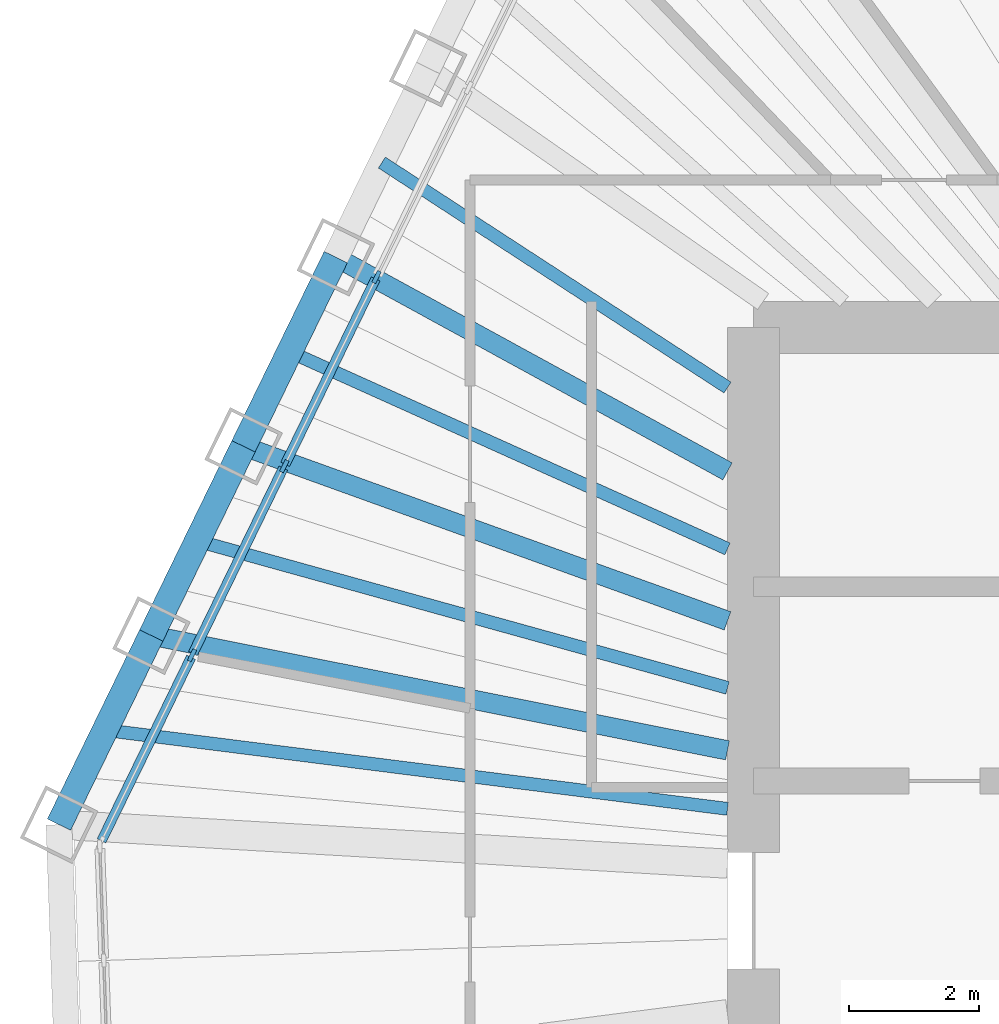
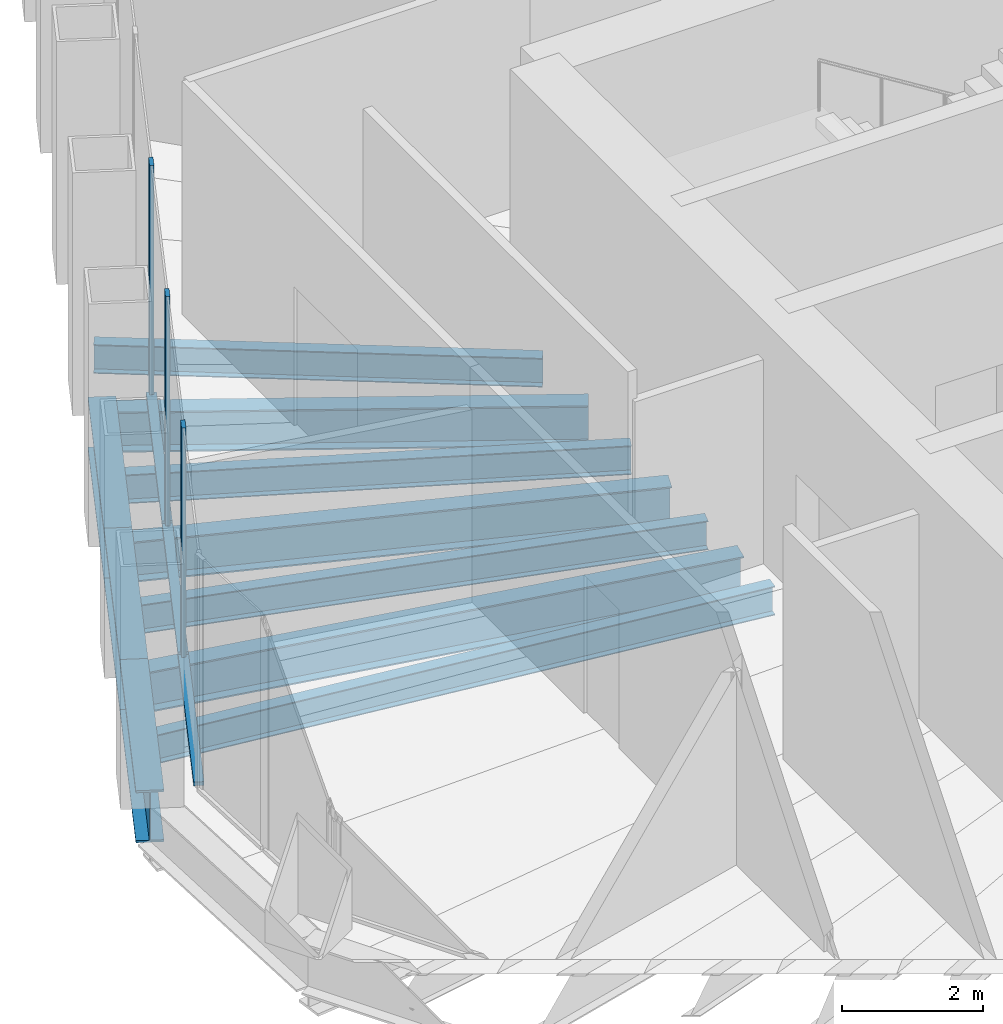
# One storey, part 4 of 14: 10 beams, 6 members, 1 element without a shape of its own.
"""IFC4 building model written with IfcOpenShell, lengths in metres."""

from ifc_helpers import new_model, si_unit, direction, frame, origin, origin_2d, place, context, subcontext, project, spatial, rectangle, i_section, extrude, material, material_profile, profile_set, type_object, element, aggregate, save


model = new_model("IFC4")

# Units and contexts
model_context = context("Model", 3, precision=1e-05, world=origin(), true_north=direction((0.0, 1.0)))
body_context = subcontext(model_context, "Body", "Model", "MODEL_VIEW")
ifc_project = project(units=[si_unit("LENGTHUNIT", "METRE"), si_unit("AREAUNIT", "SQUARE_METRE"), si_unit("VOLUMEUNIT", "CUBIC_METRE"), si_unit("PLANEANGLEUNIT", "RADIAN"), si_unit("MASSUNIT", "GRAM", prefix="KILO")], contexts=[model_context])

# Site, building, storey
site_placement = place(None, origin())
site = spatial("IfcSite", under=ifc_project, at=site_placement, CompositionType="ELEMENT")
building_placement = place(site_placement, origin())
building = spatial("IfcBuilding", under=site, at=building_placement, Name="Qingtian Harvest Tower", CompositionType="ELEMENT")
storey_placement = place(building_placement, frame((0.0, 0.0, 320.800048828125)))
storey = spatial("IfcBuildingStorey", under=building, at=storey_placement, Name="L71", CompositionType="ELEMENT", Elevation=320.800048828125)

# Beams
ifc_material_1 = material(Name="Steel SN490B", Category="steel")
ifc_material_profile_1 = material_profile(ifc_material_1, i_section(OverallWidth=0.300048828125, OverallDepth=0.699951171875, WebThickness=0.012939453125, FlangeThickness=0.02392578125, at=origin_2d()), Name="H700x300x13x24")
ifc_profile_set_1 = profile_set([ifc_material_profile_1], Name="Steel SN490B")
beam_type_1 = type_object("IfcBeamType", Name="Floor beam FB4 H700x300x13x24", PredefinedType="BEAM", material=ifc_profile_set_1)
beam_1_placement = place(storey_placement, frame((-21.29345703125, 4.246337890625, -0.52001953125), z_axis=(0.980692343585, -0.195556966723, 0.0), x_axis=(0.195556966723, 0.980692343585, 0.0)))
element("IfcBeam", 1, at=beam_1_placement, inside=storey, type_object=beam_type_1, Name="Floor beam FB4 NW1", PredefinedType="BEAM", context=body_context, shape_type="SweptSolid", body=[
    extrude(i_section(OverallWidth=0.300048828125, OverallDepth=0.699951171875, WebThickness=0.012939453125, FlangeThickness=0.02392578125, at=origin_2d()), origin(), (0.0, 0.0, 1.0), 9.068603515625),
])
beam_2_placement = place(storey_placement, frame((-19.86962890625, 7.165771484375, -0.52001953125), z_axis=(0.940696778834, -0.339248537641, 0.0), x_axis=(0.339248537641, 0.940696778834, 0.0)))
element("IfcBeam", 2, at=beam_2_placement, inside=storey, type_object=beam_type_1, Name="Floor beam FB4 NW2", PredefinedType="BEAM", context=body_context, shape_type="SweptSolid", body=[
    extrude(i_section(OverallWidth=0.300048828125, OverallDepth=0.699951171875, WebThickness=0.012939453125, FlangeThickness=0.02392578125, at=origin_2d()), origin(), (0.0, 0.0, 1.0), 7.940673828125),
])
beam_3_placement = place(storey_placement, frame((-18.44580078125, 10.0849609375, -0.52001953125), z_axis=(0.877427999734, -0.479708354402, 0.0), x_axis=(0.479708354402, 0.877427999734, 0.0)))
element("IfcBeam", 3, at=beam_3_placement, inside=storey, type_object=beam_type_1, Name="Floor beam FB4 NW3", PredefinedType="BEAM", context=body_context, shape_type="SweptSolid", body=[
    extrude(i_section(OverallWidth=0.300048828125, OverallDepth=0.699951171875, WebThickness=0.012939453125, FlangeThickness=0.02392578125, at=origin_2d()), origin(), (0.0, 0.0, 1.0), 6.890380859375),
])
ifc_material_2 = material(Name="Steel SN490B", Category="steel")
ifc_material_profile_2 = material_profile(ifc_material_2, i_section(OverallWidth=0.199951171875, OverallDepth=0.5, WebThickness=0.010009765625, FlangeThickness=0.01611328125, at=origin_2d()), Name="H500x200x10x16")
ifc_profile_set_2 = profile_set([ifc_material_profile_2], Name="Steel SN490B")
beam_type_2 = type_object("IfcBeamType", Name="Floor joist J3 H500x200x10x16", PredefinedType="JOIST", material=ifc_profile_set_2)
beam_4_placement = place(storey_placement, frame((-22.00537109375, 2.78662109375, -0.420166015625), z_axis=(0.992077984062, -0.125623538954, 0.0), x_axis=(0.125623538954, 0.992077984062, 0.0)))
element("IfcBeam", 4, at=beam_4_placement, inside=storey, type_object=beam_type_2, Name="Floor joist J3 NW0", PredefinedType="JOIST", context=body_context, shape_type="SweptSolid", body=[
    extrude(i_section(OverallWidth=0.199951171875, OverallDepth=0.5, WebThickness=0.010009765625, FlangeThickness=0.01611328125, at=origin_2d()), origin(), (0.0, 0.0, 1.0), 9.68212890625),
])
beam_5_placement = place(storey_placement, frame((-20.58154296875, 5.7060546875, -0.420166015625), z_axis=(0.963650445063, -0.267166277306, 0.0), x_axis=(0.267166277306, 0.963650445063, 0.0)))
element("IfcBeam", 5, at=beam_5_placement, inside=storey, type_object=beam_type_2, Name="Floor joist J3 NW1", PredefinedType="JOIST", context=body_context, shape_type="SweptSolid", body=[
    extrude(i_section(OverallWidth=0.199951171875, OverallDepth=0.5, WebThickness=0.010009765625, FlangeThickness=0.01611328125, at=origin_2d()), origin(), (0.0, 0.0, 1.0), 8.490234375),
])
beam_6_placement = place(storey_placement, frame((-19.15771484375, 8.625244140625, -0.420166015625), z_axis=(0.911847523905, -0.410529040567, 0.0), x_axis=(0.410529040567, 0.911847523905, 0.0)))
element("IfcBeam", 6, at=beam_6_placement, inside=storey, type_object=beam_type_2, Name="Floor joist J3 NW2", PredefinedType="JOIST", context=body_context, shape_type="SweptSolid", body=[
    extrude(i_section(OverallWidth=0.199951171875, OverallDepth=0.5, WebThickness=0.010009765625, FlangeThickness=0.01611328125, at=origin_2d()), origin(), (0.0, 0.0, 1.0), 7.4111328125),
])
beam_7_placement = place(storey_placement, frame((-17.73388671875, 11.544677734375, -0.420166015625), z_axis=(0.83806130614, -0.545576069079, 0.0), x_axis=(0.545576069079, 0.83806130614, 0.0)))
element("IfcBeam", 7, at=beam_7_placement, inside=storey, type_object=beam_type_2, Name="Floor joist J3 NW3", PredefinedType="JOIST", context=body_context, shape_type="SweptSolid", body=[
    extrude(i_section(OverallWidth=0.199951171875, OverallDepth=0.5, WebThickness=0.010009765625, FlangeThickness=0.01611328125, at=origin_2d()), origin(), (0.0, 0.0, 1.0), 6.36474609375),
])

# Curtain wall, members
ifc_material_3 = material(Name="Bronze-anodised aluminium curtain wall", Category="aluminium")
curtain_wall_type = type_object("IfcCurtainWallType", Name="Curtain wall CW5 upper office", PredefinedType="USERDEFINED", material=ifc_material_3)
curtain_wall_placement = place(storey_placement, origin())
curtain_wall = element("IfcCurtainWall", 8, at=curtain_wall_placement, inside=storey, type_object=curtain_wall_type, Name="Curtain wall CW5 L71 NW0-5", ObjectType="RECESSED CURTAIN WALL", PredefinedType="USERDEFINED")
ifc_material_4 = material(Name="Bronze-anodised aluminium mullion", Category="aluminium")
ifc_material_profile_3 = material_profile(ifc_material_4, rectangle(XDim=0.06494140625, YDim=0.199951171875, at=origin_2d()), Name="AL 65x200")
ifc_profile_set_3 = profile_set([ifc_material_profile_3], Name="Bronze-anodised aluminium mullion")
member_type_1 = type_object("IfcMemberType", Name="Mullion CWM 65x200", PredefinedType="MULLION", material=ifc_profile_set_3)
member_1_placement = place(storey_placement, frame((-20.664306640625, 3.939453125, 0.0), z_axis=(0.0, 0.0, 1.0), x_axis=(-0.898794046299, 0.438371146789, 0.0)))
member_1 = element("IfcMember", 9, at=member_1_placement, type_object=member_type_1, Name="CW5 mullion 2", PredefinedType="MULLION", context=body_context, shape_type="SweptSolid", body=[
    extrude(rectangle(XDim=0.06494140625, YDim=0.199951171875, at=origin_2d()), origin(), (0.0, 0.0, 1.0), 4.030029296875),
])
member_2_placement = place(storey_placement, frame((-19.240478515625, 6.85888671875, 0.0), z_axis=(0.0, 0.0, 1.0), x_axis=(-0.898794046299, 0.438371146789, 0.0)))
member_2 = element("IfcMember", 10, at=member_2_placement, type_object=member_type_1, Name="CW5 mullion 3", PredefinedType="MULLION", context=body_context, shape_type="SweptSolid", body=[
    extrude(rectangle(XDim=0.06494140625, YDim=0.199951171875, at=origin_2d()), origin(), (0.0, 0.0, 1.0), 4.030029296875),
])
member_3_placement = place(storey_placement, frame((-17.816650390625, 9.778076171875, 0.0), z_axis=(0.0, 0.0, 1.0), x_axis=(-0.898794046299, 0.438371146789, 0.0)))
member_3 = element("IfcMember", 11, at=member_3_placement, type_object=member_type_1, Name="CW5 mullion 4", PredefinedType="MULLION", context=body_context, shape_type="SweptSolid", body=[
    extrude(rectangle(XDim=0.06494140625, YDim=0.199951171875, at=origin_2d()), origin(), (0.0, 0.0, 1.0), 4.030029296875),
])

# Beams
ifc_material_5 = material(Name="Steel SN490B", Category="steel")
ifc_material_profile_4 = material_profile(ifc_material_5, i_section(OverallWidth=0.39990234375, OverallDepth=0.89990234375, WebThickness=0.01904296875, FlangeThickness=0.035888671875, at=origin_2d()), Name="H900x400x19x36")
ifc_profile_set_4 = profile_set([ifc_material_profile_4], Name="Steel SN490B")
beam_type_3 = type_object("IfcBeamType", Name="Spandrel beam SB4 H900x400x19x36", PredefinedType="SPANDREL", material=ifc_profile_set_4)
beam_8_placement = place(storey_placement, frame((-22.71728515625, 1.3271484375, -0.449951171875), z_axis=(0.438382164311, 0.898788672611, 0.0), x_axis=(-0.898788672611, 0.438382164311, 0.0)))
element("IfcBeam", 12, at=beam_8_placement, inside=storey, type_object=beam_type_3, Name="Spandrel SB4 NW0", PredefinedType="SPANDREL", context=body_context, shape_type="SweptSolid", body=[
    extrude(i_section(OverallWidth=0.39990234375, OverallDepth=0.89990234375, WebThickness=0.01904296875, FlangeThickness=0.035888671875, at=origin_2d()), origin(), (0.0, 0.0, 1.0), 3.247802734375),
])
beam_9_placement = place(storey_placement, frame((-21.29345703125, 4.246337890625, -0.449951171875), z_axis=(0.438352548749, 0.898803116931, 0.0), x_axis=(-0.898803116931, 0.438352548749, 0.0)))
element("IfcBeam", 13, at=beam_9_placement, inside=storey, type_object=beam_type_3, Name="Spandrel SB4 NW1", PredefinedType="SPANDREL", context=body_context, shape_type="SweptSolid", body=[
    extrude(i_section(OverallWidth=0.39990234375, OverallDepth=0.89990234375, WebThickness=0.01904296875, FlangeThickness=0.035888671875, at=origin_2d()), origin(), (0.0, 0.0, 1.0), 3.248046875),
])
beam_10_placement = place(storey_placement, frame((-19.86962890625, 7.165771484375, -0.449951171875), z_axis=(0.438382164311, 0.898788672611, 0.0), x_axis=(-0.898788672611, 0.438382164311, 0.0)))
element("IfcBeam", 14, at=beam_10_placement, inside=storey, type_object=beam_type_3, Name="Spandrel SB4 NW2", PredefinedType="SPANDREL", context=body_context, shape_type="SweptSolid", body=[
    extrude(i_section(OverallWidth=0.39990234375, OverallDepth=0.89990234375, WebThickness=0.01904296875, FlangeThickness=0.035888671875, at=origin_2d()), origin(), (0.0, 0.0, 1.0), 3.247802734375),
])

# Member
ifc_material_6 = material(Name="Bronze-anodised aluminium transom", Category="aluminium")
ifc_material_profile_5 = material_profile(ifc_material_6, rectangle(XDim=0.14990234375, YDim=0.06494140625, at=origin_2d()), Name="AL 65x150")
ifc_profile_set_5 = profile_set([ifc_material_profile_5], Name="Bronze-anodised aluminium transom")
member_type_2 = type_object("IfcMemberType", Name="Transom CWT 65x150", PredefinedType="USERDEFINED", material=ifc_profile_set_5)
member_4_placement = place(storey_placement, frame((-22.059814453125, 1.07861328125, 0.032470703125), z_axis=(0.438357982629, 0.89880046677, 0.0), x_axis=(-0.89880046677, 0.438357982629, 0.0)))
member_4 = element("IfcMember", 15, at=member_4_placement, type_object=member_type_2, Name="CW5 transom 1.1", ObjectType="TRANSOM", PredefinedType="USERDEFINED", context=body_context, shape_type="SweptSolid", body=[
    extrude(rectangle(XDim=0.14990234375, YDim=0.06494140625, at=origin_2d()), origin(), (0.0, 0.0, 1.0), 3.150634765625),
])

member_5_placement = place(storey_placement, frame((-20.650146484375, 3.96875, 0.032470703125), z_axis=(0.438355626738, 0.898801615768, 0.0), x_axis=(-0.898801615768, 0.438355626738, 0.0)))
member_5 = element("IfcMember", 16, at=member_5_placement, type_object=member_type_2, Name="CW5 transom 2.1", ObjectType="TRANSOM", PredefinedType="USERDEFINED", context=body_context, shape_type="SweptSolid", body=[
    extrude(rectangle(XDim=0.14990234375, YDim=0.06494140625, at=origin_2d()), origin(), (0.0, 0.0, 1.0), 3.182861328125),
])

member_6_placement = place(storey_placement, frame((-19.226318359375, 6.887939453125, 0.032470703125), z_axis=(0.438325408134, 0.898816353091, 0.0), x_axis=(-0.898816353091, 0.438325408134, 0.0)))
member_6 = element("IfcMember", 17, at=member_6_placement, type_object=member_type_2, Name="CW5 transom 3.1", ObjectType="TRANSOM", PredefinedType="USERDEFINED", context=body_context, shape_type="SweptSolid", body=[
    extrude(rectangle(XDim=0.14990234375, YDim=0.06494140625, at=origin_2d()), origin(), (0.0, 0.0, 1.0), 3.18310546875),
])

aggregate(curtain_wall, [member_1, member_2, member_3, member_4, member_5, member_6])

save(model, "model.ifc")
